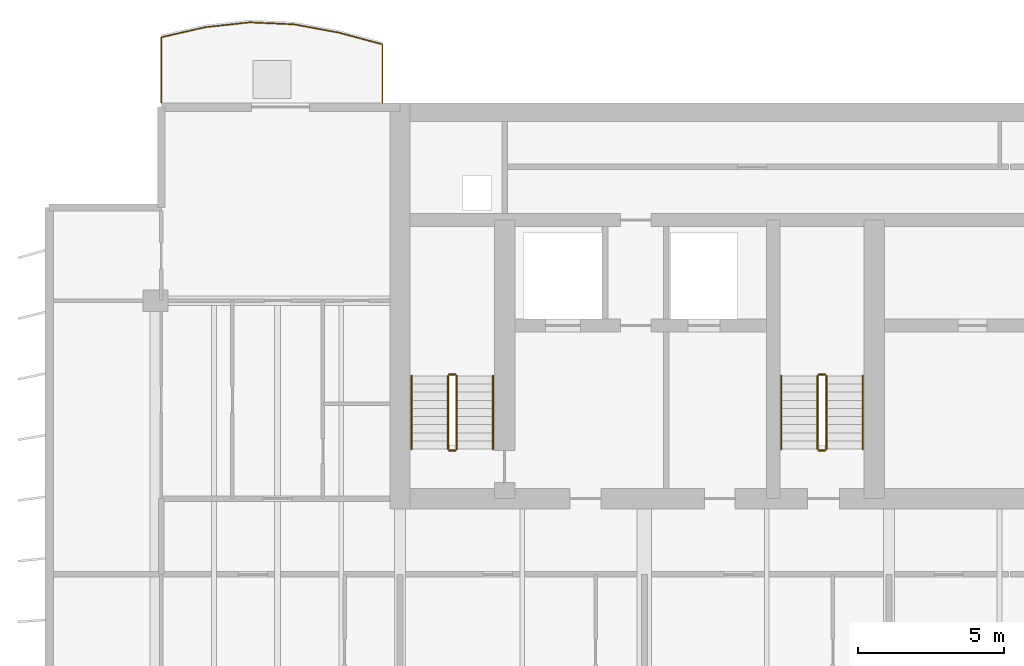
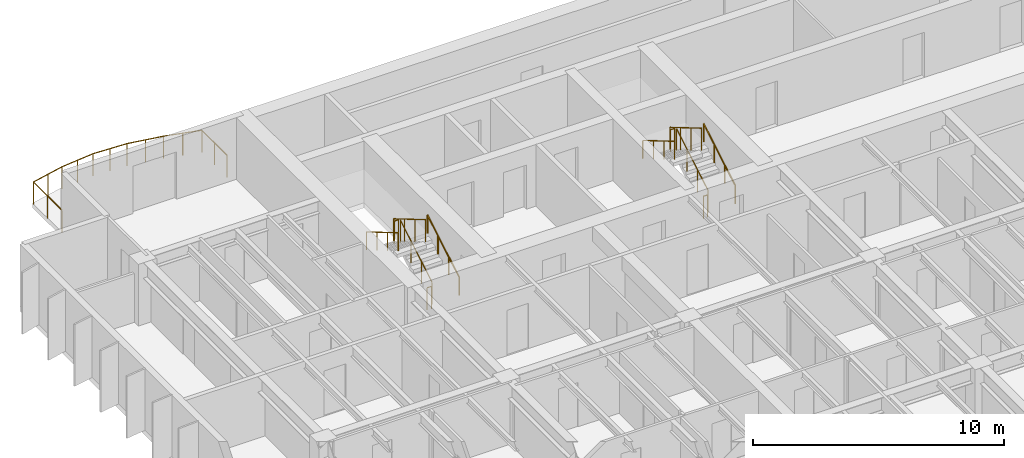
# One storey, part 17 of 19: 13 railings.
"""IFC4 building model written with IfcOpenShell, lengths in metres."""

from ifc_helpers import new_model, si_unit, direction, frame, origin, origin_2d, place, context, subcontext, project, spatial, circle, extrude, material, type_object, element, save


model = new_model("IFC4")

# Units and contexts
model_context = context("Model", 3, precision=1e-05, world=origin(), true_north=direction((0.0, 1.0)))
body_context = subcontext(model_context, "Body", "Model", "MODEL_VIEW")
ifc_project = project(units=[si_unit("LENGTHUNIT", "METRE"), si_unit("AREAUNIT", "SQUARE_METRE"), si_unit("VOLUMEUNIT", "CUBIC_METRE"), si_unit("PLANEANGLEUNIT", "RADIAN"), si_unit("MASSUNIT", "GRAM", prefix="KILO")], contexts=[model_context])

# Site, building, storey
site_placement = place(None, origin())
site = spatial("IfcSite", under=ifc_project, at=site_placement, CompositionType="ELEMENT")
building_placement = place(site_placement, origin())
building = spatial("IfcBuilding", under=site, at=building_placement, Name="Caelmar Bay Residences", CompositionType="ELEMENT")
storey_placement = place(building_placement, frame((0.0, 0.0, 218.10009765625)))
storey = spatial("IfcBuildingStorey", under=building, at=storey_placement, Name="L61", CompositionType="ELEMENT", Elevation=218.10009765625)

# Railings
ifc_material_1 = material(Name="Anodised bronze handrail with laminated hurricane glass infill", Category="glass")
railing_type_1 = type_object("IfcRailingType", Name="RL-BAL-1100", PredefinedType="BALUSTRADE", material=ifc_material_1)
railing_1_placement = place(storey_placement, frame((17.699951171875, 50.60009765625, 0.0)))
element("IfcRailing", 1, at=railing_1_placement, inside=storey, type_object=railing_type_1, Name="L61 north_west Balcony Balustrade", PredefinedType="BALUSTRADE", context=body_context, shape_type="SweptSolid", body=[
    extrude(circle(Radius=0.02392578125, at=origin_2d()), frame((0.0, 0.0, 1.076171875), z_axis=(0.0, 1.0, 0.0), x_axis=(-1.0, 0.0, 0.0)), (0.0, 0.0, 1.0), 2.0087890625),
    extrude(circle(Radius=0.02392578125, at=origin_2d()), frame((0.0, 2.0087890625, 1.076171875), z_axis=(-0.966206600501, 0.25776889872, 0.0), x_axis=(-0.25776889872, -0.966206600501, 0.0)), (0.0, 0.0, 1.0), 1.5732421875),
    extrude(circle(Radius=0.02392578125, at=origin_2d()), frame((-1.52001953125, 2.414306640625, 1.076171875), z_axis=(-0.983309224326, 0.181942214331, 0.0), x_axis=(-0.181942214331, -0.983309224326, 0.0)), (0.0, 0.0, 1.0), 1.5458984375),
    extrude(circle(Radius=0.02392578125, at=origin_2d()), frame((-3.0400390625, 2.695556640625, 1.076171875), z_axis=(-0.998975805625, 0.045247538899, 0.0), x_axis=(-0.045247538899, -0.998975805625, 0.0)), (0.0, 0.0, 1.0), 1.521484375),
    extrude(circle(Radius=0.02392578125, at=origin_2d()), frame((-4.56005859375, 2.764404296875, 1.076171875), z_axis=(-0.994138121061, -0.108117511319, 0.0), x_axis=(0.108117511319, -0.994138121061, 0.0)), (0.0, 0.0, 1.0), 1.52880859375),
    extrude(circle(Radius=0.02392578125, at=origin_2d()), frame((-6.079833984375, 2.59912109375, 1.076171875), z_axis=(-0.974861421848, -0.222812046786, 0.0), x_axis=(0.222812046786, -0.974861421848, 0.0)), (0.0, 0.0, 1.0), 1.559326171875),
    extrude(circle(Radius=0.02392578125, at=origin_2d()), frame((-7.599853515625, 2.251708984375, 1.076171875), z_axis=(0.0, -1.0, 0.0), x_axis=(1.0, 0.0, 0.0)), (0.0, 0.0, 1.0), 2.251708984375),
    extrude(circle(Radius=0.02099609375, at=origin_2d()), origin(), (0.0, 0.0, 1.0), 1.052001953125),
    extrude(circle(Radius=0.02099609375, at=origin_2d()), frame((0.0, 1.00439453125, 0.0)), (0.0, 0.0, 1.0), 1.052001953125),
    extrude(circle(Radius=0.02099609375, at=origin_2d()), frame((0.0, 2.0087890625, 0.0)), (0.0, 0.0, 1.0), 1.052001953125),
    extrude(circle(Radius=0.02099609375, at=origin_2d()), frame((-0.760009765625, 2.21142578125, 0.0)), (0.0, 0.0, 1.0), 1.052001953125),
    extrude(circle(Radius=0.02099609375, at=origin_2d()), frame((-1.52001953125, 2.414306640625, 0.0)), (0.0, 0.0, 1.0), 1.052001953125),
    extrude(circle(Radius=0.02099609375, at=origin_2d()), frame((-2.280029296875, 2.554931640625, 0.0)), (0.0, 0.0, 1.0), 1.052001953125),
    extrude(circle(Radius=0.02099609375, at=origin_2d()), frame((-3.0400390625, 2.695556640625, 0.0)), (0.0, 0.0, 1.0), 1.052001953125),
    extrude(circle(Radius=0.02099609375, at=origin_2d()), frame((-3.800048828125, 2.72998046875, 0.0)), (0.0, 0.0, 1.0), 1.052001953125),
    extrude(circle(Radius=0.02099609375, at=origin_2d()), frame((-4.56005859375, 2.764404296875, 0.0)), (0.0, 0.0, 1.0), 1.052001953125),
    extrude(circle(Radius=0.02099609375, at=origin_2d()), frame((-5.31982421875, 2.681640625, 0.0)), (0.0, 0.0, 1.0), 1.052001953125),
    extrude(circle(Radius=0.02099609375, at=origin_2d()), frame((-6.079833984375, 2.59912109375, 0.0)), (0.0, 0.0, 1.0), 1.052001953125),
    extrude(circle(Radius=0.02099609375, at=origin_2d()), frame((-6.83984375, 2.42529296875, 0.0)), (0.0, 0.0, 1.0), 1.052001953125),
    extrude(circle(Radius=0.02099609375, at=origin_2d()), frame((-7.599853515625, 2.251708984375, 0.0)), (0.0, 0.0, 1.0), 1.052001953125),
    extrude(circle(Radius=0.02099609375, at=origin_2d()), frame((-7.599853515625, 1.1259765625, 0.0)), (0.0, 0.0, 1.0), 1.052001953125),
    extrude(circle(Radius=0.02099609375, at=origin_2d()), frame((-7.599853515625, 0.0, 0.0)), (0.0, 0.0, 1.0), 1.052001953125),
])
ifc_material_2 = material(Name="Painted galvanized steel stair guard 1100 mm", Category="steel")
railing_type_2 = type_object("IfcRailingType", Name="RL-GRD-1100", PredefinedType="GUARDRAIL", material=ifc_material_2)
railing_2_placement = place(storey_placement, frame((20.25, 38.699951171875, 0.164794921875)))
element("IfcRailing", 2, at=railing_2_placement, inside=storey, type_object=railing_type_2, Name="L61 ST1 stair guard 1", PredefinedType="GUARDRAIL", context=body_context, shape_type="SweptSolid", body=[
    extrude(circle(Radius=0.02392578125, at=origin_2d()), frame((0.0, 0.0, 1.076171875), z_axis=(0.0, 0.86152411907, 0.507716645641), x_axis=(-1.0, 0.0, 0.0)), (0.0, 0.0, 1.0), 2.925048828125),
    extrude(circle(Radius=0.02099609375, at=origin_2d()), origin(), (0.0, 0.0, 1.0), 1.052001953125),
    extrude(circle(Radius=0.02099609375, at=origin_2d()), frame((0.0, 0.840087890625, 0.4951171875)), (0.0, 0.0, 1.0), 1.052001953125),
    extrude(circle(Radius=0.02099609375, at=origin_2d()), frame((0.0, 1.679931640625, 0.989990234375)), (0.0, 0.0, 1.0), 1.052001953125),
    extrude(circle(Radius=0.02099609375, at=origin_2d()), frame((0.0, 2.52001953125, 1.485107421875)), (0.0, 0.0, 1.0), 1.052001953125),
])
railing_3_placement = place(storey_placement, frame((20.199951171875, 41.27001953125, 1.64990234375)))
element("IfcRailing", 3, at=railing_3_placement, inside=storey, type_object=railing_type_2, Name="L61 ST1 stair guard 2", PredefinedType="GUARDRAIL", context=body_context, shape_type="SweptSolid", body=[
    extrude(circle(Radius=0.02392578125, at=origin_2d()), frame((0.0, 0.0, 1.076171875), z_axis=(-1.0, 0.0, 0.0), x_axis=(0.0, -1.0, 0.0)), (0.0, 0.0, 1.0), 0.199951171875),
    extrude(circle(Radius=0.02099609375, at=origin_2d()), origin(), (0.0, 0.0, 1.0), 1.052001953125),
    extrude(circle(Radius=0.02099609375, at=origin_2d()), frame((-0.199951171875, 0.0, 0.0)), (0.0, 0.0, 1.0), 1.052001953125),
])
railing_4_placement = place(storey_placement, frame((19.949951171875, 41.219970703125, 1.81494140625)))
element("IfcRailing", 4, at=railing_4_placement, inside=storey, type_object=railing_type_2, Name="L61 ST1 stair guard 3", PredefinedType="GUARDRAIL", context=body_context, shape_type="SweptSolid", body=[
    extrude(circle(Radius=0.02392578125, at=origin_2d()), frame((0.0, 0.0, 1.076171875), z_axis=(0.0, -0.861560626758, 0.507654692109), x_axis=(1.0, 0.0, 0.0)), (0.0, 0.0, 1.0), 2.925048828125),
    extrude(circle(Radius=0.02099609375, at=origin_2d()), origin(), (0.0, 0.0, 1.0), 1.052001953125),
    extrude(circle(Radius=0.02099609375, at=origin_2d()), frame((0.0, -0.840087890625, 0.494873046875)), (0.0, 0.0, 1.0), 1.052001953125),
    extrude(circle(Radius=0.02099609375, at=origin_2d()), frame((0.0, -1.679931640625, 0.989990234375)), (0.0, 0.0, 1.0), 1.052001953125),
    extrude(circle(Radius=0.02099609375, at=origin_2d()), frame((0.0, -2.52001953125, 1.48486328125)), (0.0, 0.0, 1.0), 1.052001953125),
])
railing_5_placement = place(storey_placement, frame((20.199951171875, 38.64990234375, 0.0)))
element("IfcRailing", 5, at=railing_5_placement, inside=storey, type_object=railing_type_2, Name="L61 ST1 stair guard 4", PredefinedType="GUARDRAIL", context=body_context, shape_type="SweptSolid", body=[
    extrude(circle(Radius=0.02392578125, at=origin_2d()), frame((0.0, 0.0, 1.076171875), z_axis=(-1.0, 0.0, 0.0), x_axis=(0.0, -1.0, 0.0)), (0.0, 0.0, 1.0), 0.199951171875),
    extrude(circle(Radius=0.02099609375, at=origin_2d()), origin(), (0.0, 0.0, 1.0), 1.052001953125),
    extrude(circle(Radius=0.02099609375, at=origin_2d()), frame((-0.199951171875, 0.0, 0.0)), (0.0, 0.0, 1.0), 1.052001953125),
])
railing_6_placement = place(storey_placement, frame((32.949951171875, 38.699951171875, 0.164794921875)))
element("IfcRailing", 6, at=railing_6_placement, inside=storey, type_object=railing_type_2, Name="L61 ST3 stair guard 1", PredefinedType="GUARDRAIL", context=body_context, shape_type="SweptSolid", body=[
    extrude(circle(Radius=0.02392578125, at=origin_2d()), frame((0.0, 0.0, 1.076171875), z_axis=(0.0, 0.86152411907, 0.507716645641), x_axis=(-1.0, 0.0, 0.0)), (0.0, 0.0, 1.0), 2.925048828125),
    extrude(circle(Radius=0.02099609375, at=origin_2d()), origin(), (0.0, 0.0, 1.0), 1.052001953125),
    extrude(circle(Radius=0.02099609375, at=origin_2d()), frame((0.0, 0.840087890625, 0.4951171875)), (0.0, 0.0, 1.0), 1.052001953125),
    extrude(circle(Radius=0.02099609375, at=origin_2d()), frame((0.0, 1.679931640625, 0.989990234375)), (0.0, 0.0, 1.0), 1.052001953125),
    extrude(circle(Radius=0.02099609375, at=origin_2d()), frame((0.0, 2.52001953125, 1.485107421875)), (0.0, 0.0, 1.0), 1.052001953125),
])
railing_7_placement = place(storey_placement, frame((32.89990234375, 41.27001953125, 1.64990234375)))
element("IfcRailing", 7, at=railing_7_placement, inside=storey, type_object=railing_type_2, Name="L61 ST3 stair guard 2", PredefinedType="GUARDRAIL", context=body_context, shape_type="SweptSolid", body=[
    extrude(circle(Radius=0.02392578125, at=origin_2d()), frame((0.0, 0.0, 1.076171875), z_axis=(-1.0, 0.0, 0.0), x_axis=(0.0, -1.0, 0.0)), (0.0, 0.0, 1.0), 0.199951171875),
    extrude(circle(Radius=0.02099609375, at=origin_2d()), origin(), (0.0, 0.0, 1.0), 1.052001953125),
    extrude(circle(Radius=0.02099609375, at=origin_2d()), frame((-0.199951171875, 0.0, 0.0)), (0.0, 0.0, 1.0), 1.052001953125),
])
railing_8_placement = place(storey_placement, frame((32.64990234375, 41.219970703125, 1.81494140625)))
element("IfcRailing", 8, at=railing_8_placement, inside=storey, type_object=railing_type_2, Name="L61 ST3 stair guard 3", PredefinedType="GUARDRAIL", context=body_context, shape_type="SweptSolid", body=[
    extrude(circle(Radius=0.02392578125, at=origin_2d()), frame((0.0, 0.0, 1.076171875), z_axis=(0.0, -0.861560626758, 0.507654692109), x_axis=(1.0, 0.0, 0.0)), (0.0, 0.0, 1.0), 2.925048828125),
    extrude(circle(Radius=0.02099609375, at=origin_2d()), origin(), (0.0, 0.0, 1.0), 1.052001953125),
    extrude(circle(Radius=0.02099609375, at=origin_2d()), frame((0.0, -0.840087890625, 0.494873046875)), (0.0, 0.0, 1.0), 1.052001953125),
    extrude(circle(Radius=0.02099609375, at=origin_2d()), frame((0.0, -1.679931640625, 0.989990234375)), (0.0, 0.0, 1.0), 1.052001953125),
    extrude(circle(Radius=0.02099609375, at=origin_2d()), frame((0.0, -2.52001953125, 1.48486328125)), (0.0, 0.0, 1.0), 1.052001953125),
])
railing_9_placement = place(storey_placement, frame((32.89990234375, 38.64990234375, 0.0)))
element("IfcRailing", 9, at=railing_9_placement, inside=storey, type_object=railing_type_2, Name="L61 ST3 stair guard 4", PredefinedType="GUARDRAIL", context=body_context, shape_type="SweptSolid", body=[
    extrude(circle(Radius=0.02392578125, at=origin_2d()), frame((0.0, 0.0, 1.076171875), z_axis=(-1.0, 0.0, 0.0), x_axis=(0.0, -1.0, 0.0)), (0.0, 0.0, 1.0), 0.199951171875),
    extrude(circle(Radius=0.02099609375, at=origin_2d()), origin(), (0.0, 0.0, 1.0), 1.052001953125),
    extrude(circle(Radius=0.02099609375, at=origin_2d()), frame((-0.199951171875, 0.0, 0.0)), (0.0, 0.0, 1.0), 1.052001953125),
])
ifc_material_3 = material(Name="Brushed bronze stainless-steel tubular handrail 900 mm", Category="steel")
railing_type_3 = type_object("IfcRailingType", Name="RL-HND-900", PredefinedType="HANDRAIL", material=ifc_material_3)
railing_10_placement = place(storey_placement, frame((21.5, 38.699951171875, 0.164794921875)))
element("IfcRailing", 10, at=railing_10_placement, inside=storey, type_object=railing_type_3, Name="L61 ST1 stair handrail 1", PredefinedType="HANDRAIL", context=body_context, shape_type="SweptSolid", body=[
    extrude(circle(Radius=0.02392578125, at=origin_2d()), frame((0.0, 0.0, 0.8759765625), z_axis=(0.0, 0.86152411907, 0.507716645641), x_axis=(-1.0, 0.0, 0.0)), (0.0, 0.0, 1.0), 2.925048828125),
    extrude(circle(Radius=0.02099609375, at=origin_2d()), origin(), (0.0, 0.0, 1.0), 0.851806640625),
    extrude(circle(Radius=0.02099609375, at=origin_2d()), frame((0.0, 0.840087890625, 0.4951171875)), (0.0, 0.0, 1.0), 0.851806640625),
    extrude(circle(Radius=0.02099609375, at=origin_2d()), frame((0.0, 1.679931640625, 0.989990234375)), (0.0, 0.0, 1.0), 0.851806640625),
    extrude(circle(Radius=0.02099609375, at=origin_2d()), frame((0.0, 2.52001953125, 1.485107421875)), (0.0, 0.0, 1.0), 0.851806640625),
])
railing_11_placement = place(storey_placement, frame((18.699951171875, 41.219970703125, 1.81494140625)))
element("IfcRailing", 11, at=railing_11_placement, inside=storey, type_object=railing_type_3, Name="L61 ST1 stair handrail 2", PredefinedType="HANDRAIL", context=body_context, shape_type="SweptSolid", body=[
    extrude(circle(Radius=0.02392578125, at=origin_2d()), frame((0.0, 0.0, 0.8759765625), z_axis=(0.0, -0.861560626758, 0.507654692109), x_axis=(1.0, 0.0, 0.0)), (0.0, 0.0, 1.0), 2.925048828125),
    extrude(circle(Radius=0.02099609375, at=origin_2d()), origin(), (0.0, 0.0, 1.0), 0.851806640625),
    extrude(circle(Radius=0.02099609375, at=origin_2d()), frame((0.0, -0.840087890625, 0.494873046875)), (0.0, 0.0, 1.0), 0.851806640625),
    extrude(circle(Radius=0.02099609375, at=origin_2d()), frame((0.0, -1.679931640625, 0.989990234375)), (0.0, 0.0, 1.0), 0.851806640625),
    extrude(circle(Radius=0.02099609375, at=origin_2d()), frame((0.0, -2.52001953125, 1.48486328125)), (0.0, 0.0, 1.0), 0.851806640625),
])
railing_12_placement = place(storey_placement, frame((34.199951171875, 38.699951171875, 0.164794921875)))
element("IfcRailing", 12, at=railing_12_placement, inside=storey, type_object=railing_type_3, Name="L61 ST3 stair handrail 1", PredefinedType="HANDRAIL", context=body_context, shape_type="SweptSolid", body=[
    extrude(circle(Radius=0.02392578125, at=origin_2d()), frame((0.0, 0.0, 0.8759765625), z_axis=(0.0, 0.86152411907, 0.507716645641), x_axis=(-1.0, 0.0, 0.0)), (0.0, 0.0, 1.0), 2.925048828125),
    extrude(circle(Radius=0.02099609375, at=origin_2d()), origin(), (0.0, 0.0, 1.0), 0.851806640625),
    extrude(circle(Radius=0.02099609375, at=origin_2d()), frame((0.0, 0.840087890625, 0.4951171875)), (0.0, 0.0, 1.0), 0.851806640625),
    extrude(circle(Radius=0.02099609375, at=origin_2d()), frame((0.0, 1.679931640625, 0.989990234375)), (0.0, 0.0, 1.0), 0.851806640625),
    extrude(circle(Radius=0.02099609375, at=origin_2d()), frame((0.0, 2.52001953125, 1.485107421875)), (0.0, 0.0, 1.0), 0.851806640625),
])
railing_13_placement = place(storey_placement, frame((31.39990234375, 41.219970703125, 1.81494140625)))
element("IfcRailing", 13, at=railing_13_placement, inside=storey, type_object=railing_type_3, Name="L61 ST3 stair handrail 2", PredefinedType="HANDRAIL", context=body_context, shape_type="SweptSolid", body=[
    extrude(circle(Radius=0.02392578125, at=origin_2d()), frame((0.0, 0.0, 0.8759765625), z_axis=(0.0, -0.861560626758, 0.507654692109), x_axis=(1.0, 0.0, 0.0)), (0.0, 0.0, 1.0), 2.925048828125),
    extrude(circle(Radius=0.02099609375, at=origin_2d()), origin(), (0.0, 0.0, 1.0), 0.851806640625),
    extrude(circle(Radius=0.02099609375, at=origin_2d()), frame((0.0, -0.840087890625, 0.494873046875)), (0.0, 0.0, 1.0), 0.851806640625),
    extrude(circle(Radius=0.02099609375, at=origin_2d()), frame((0.0, -1.679931640625, 0.989990234375)), (0.0, 0.0, 1.0), 0.851806640625),
    extrude(circle(Radius=0.02099609375, at=origin_2d()), frame((0.0, -2.52001953125, 1.48486328125)), (0.0, 0.0, 1.0), 0.851806640625),
])

save(model, "model.ifc")
